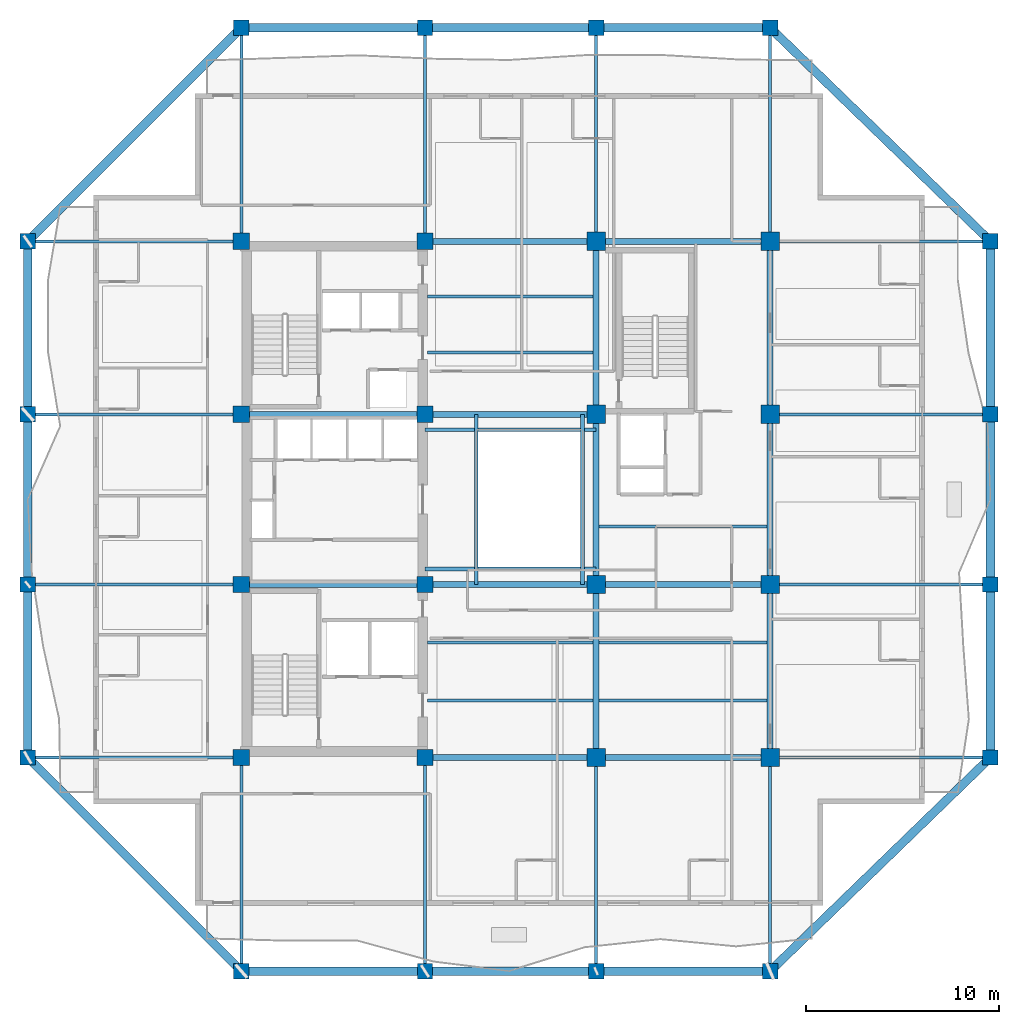
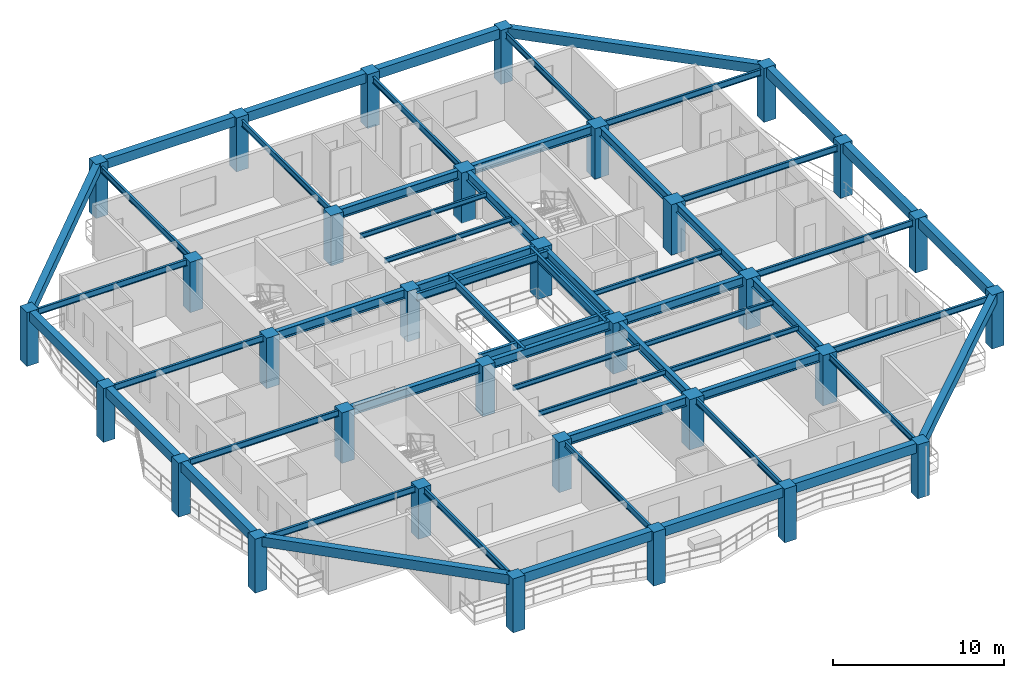
# One storey, part 1 of 13: 58 beams, 32 columns.
"""IFC4 building model written with IfcOpenShell, lengths in metres."""

from ifc_helpers import new_model, si_unit, direction, frame, origin, origin_2d, place, context, subcontext, project, spatial, rectangle, i_section, extrude, material, material_profile, profile_set, type_object, element, save


model = new_model("IFC4")

# Units and contexts
model_context = context("Model", 3, precision=1e-05, world=origin(), true_north=direction((0.0, 1.0)))
body_context = subcontext(model_context, "Body", "Model", "MODEL_VIEW")
ifc_project = project(units=[si_unit("LENGTHUNIT", "METRE"), si_unit("AREAUNIT", "SQUARE_METRE"), si_unit("VOLUMEUNIT", "CUBIC_METRE"), si_unit("PLANEANGLEUNIT", "RADIAN"), si_unit("MASSUNIT", "GRAM", prefix="KILO")], contexts=[model_context])

# Site, building, storey
site_placement = place(None, origin())
site = spatial("IfcSite", under=ifc_project, at=site_placement, CompositionType="ELEMENT")
building_placement = place(site_placement, origin())
building = spatial("IfcBuilding", under=site, at=building_placement, Name="Kundavana Baori Tower", CompositionType="ELEMENT")
storey_placement = place(building_placement, frame((0.0, 0.0, 161.75)))
storey = spatial("IfcBuildingStorey", under=building, at=storey_placement, Name="L39", CompositionType="ELEMENT", Elevation=161.75)

# Columns
ifc_material_1 = material(Name="Concrete C50/60", Category="concrete")
ifc_material_profile_1 = material_profile(ifc_material_1, rectangle(XDim=0.800048828125, YDim=0.800048828125, at=origin_2d()), Name="RC PF 800x800")
ifc_profile_set_1 = profile_set([ifc_material_profile_1], Name="Concrete C50/60")
column_type_1 = type_object("IfcColumnType", Name="COL-PF-800", PredefinedType="COLUMN", material=ifc_profile_set_1)
for number, where, z_axis, x_axis, name in (
    (1, (15.449951171875, 4.199951171875, 0.0), (0.0, 0.0, 1.0), (1.0, 0.0, 0.0), "L39 Stone-Clad Perimeter Frame Column PF-S1"),
    (2, (15.449951171875, 53.0, 0.0), (0.0, 0.0, 1.0), (1.0, 0.0, 0.0), "L39 Stone-Clad Perimeter Frame Column PF-N1"),
    (3, (24.949951171875, 4.199951171875, 0.0), (0.0, 0.0, 1.0), (1.0, 0.0, 0.0), "L39 Stone-Clad Perimeter Frame Column PF-S2"),
    (4, (24.949951171875, 53.0, 0.0), (0.0, 0.0, 1.0), (1.0, 0.0, 0.0), "L39 Stone-Clad Perimeter Frame Column PF-N2"),
    (5, (33.800048828125, 4.199951171875, 0.0), (0.0, 0.0, 1.0), (1.0, 0.0, 0.0), "L39 Stone-Clad Perimeter Frame Column PF-S3"),
    (6, (33.800048828125, 53.0, 0.0), (0.0, 0.0, 1.0), (1.0, 0.0, 0.0), "L39 Stone-Clad Perimeter Frame Column PF-N3"),
    (7, (42.800048828125, 4.199951171875, 0.0), (0.0, 0.0, 1.0), (1.0, 0.0, 0.0), "L39 Stone-Clad Perimeter Frame Column PF-S4"),
    (8, (42.800048828125, 53.0, 0.0), (0.0, 0.0, 1.0), (1.0, 0.0, 0.0), "L39 Stone-Clad Perimeter Frame Column PF-N4"),
    (9, (4.39990234375, 15.25, 0.0), (0.0, 0.0, 1.0), (1.0, 0.0, 0.0), "L39 Stone-Clad Perimeter Frame Column PF-W1"),
    (10, (54.199951171875, 15.25, 0.0), (0.0, 0.0, 1.0), (1.0, 0.0, 0.0), "L39 Stone-Clad Perimeter Frame Column PF-E1"),
    (11, (4.39990234375, 24.199951171875, 0.0), (0.0, 0.0, 1.0), (1.0, 0.0, 0.0), "L39 Stone-Clad Perimeter Frame Column PF-W2"),
    (12, (54.199951171875, 24.199951171875, 0.0), (0.0, 0.0, 1.0), (1.0, 0.0, 0.0), "L39 Stone-Clad Perimeter Frame Column PF-E2"),
    (13, (4.39990234375, 33.0, 0.0), (0.0, 0.0, 1.0), (1.0, 0.0, 0.0), "L39 Stone-Clad Perimeter Frame Column PF-W3"),
    (14, (54.199951171875, 33.0, 0.0), (0.0, 0.0, 1.0), (1.0, 0.0, 0.0), "L39 Stone-Clad Perimeter Frame Column PF-E3"),
    (15, (4.39990234375, 41.949951171875, 0.0), (0.0, 0.0, 1.0), (1.0, 0.0, 0.0), "L39 Stone-Clad Perimeter Frame Column PF-W4"),
    (16, (54.199951171875, 41.949951171875, 0.0), (0.0, 0.0, 1.0), (1.0, 0.0, 0.0), "L39 Stone-Clad Perimeter Frame Column PF-E4"),
):
    element("IfcColumn", number, at=place(storey_placement, frame(where, z_axis=z_axis, x_axis=x_axis)), inside=storey, type_object=column_type_1, Name=name, PredefinedType="COLUMN", context=body_context, shape_type="SweptSolid", body=[
        extrude(rectangle(XDim=0.800048828125, YDim=0.800048828125, at=origin_2d()), origin(), (0.0, 0.0, 1.0), 3.85009765625),
    ])
ifc_material_2 = material(Name="Concrete C50/60", Category="concrete")
ifc_material_profile_2 = material_profile(ifc_material_2, rectangle(XDim=0.85009765625, YDim=0.85009765625, at=origin_2d()), Name="RC 850x850")
ifc_profile_set_2 = profile_set([ifc_material_profile_2], Name="Concrete C50/60")
column_type_2 = type_object("IfcColumnType", Name="COL-RC-850", PredefinedType="COLUMN", material=ifc_profile_set_2)
for number, where, z_axis, x_axis, name in (
    (17, (15.449951171875, 15.25, 0.0), (0.0, 0.0, 1.0), (1.0, 0.0, 0.0), "L39 Interior Column IC-3C"),
    (18, (15.449951171875, 24.199951171875, 0.0), (0.0, 0.0, 1.0), (1.0, 0.0, 0.0), "L39 Interior Column IC-3D"),
    (19, (15.449951171875, 33.0, 0.0), (0.0, 0.0, 1.0), (1.0, 0.0, 0.0), "L39 Interior Column IC-3E"),
    (20, (15.449951171875, 41.949951171875, 0.0), (0.0, 0.0, 1.0), (1.0, 0.0, 0.0), "L39 Interior Column IC-3F"),
    (21, (24.949951171875, 15.25, 0.0), (0.0, 0.0, 1.0), (1.0, 0.0, 0.0), "L39 Interior Column IC-4C"),
    (22, (24.949951171875, 24.199951171875, 0.0), (0.0, 0.0, 1.0), (1.0, 0.0, 0.0), "L39 Interior Column IC-4D"),
    (23, (24.949951171875, 33.0, 0.0), (0.0, 0.0, 1.0), (1.0, 0.0, 0.0), "L39 Interior Column IC-4E"),
    (24, (24.949951171875, 41.949951171875, 0.0), (0.0, 0.0, 1.0), (1.0, 0.0, 0.0), "L39 Interior Column IC-4F"),
):
    element("IfcColumn", number, at=place(storey_placement, frame(where, z_axis=z_axis, x_axis=x_axis)), inside=storey, type_object=column_type_2, Name=name, PredefinedType="COLUMN", context=body_context, shape_type="SweptSolid", body=[
        extrude(rectangle(XDim=0.85009765625, YDim=0.85009765625, at=origin_2d()), origin(), (0.0, 0.0, 1.0), 3.60009765625),
    ])
ifc_material_3 = material(Name="Concrete C50/60", Category="concrete")
ifc_material_profile_3 = material_profile(ifc_material_3, rectangle(XDim=0.949951171875, YDim=0.949951171875, at=origin_2d()), Name="RC 950x950")
ifc_profile_set_3 = profile_set([ifc_material_profile_3], Name="Concrete C50/60")
column_type_3 = type_object("IfcColumnType", Name="COL-RC-950", PredefinedType="COLUMN", material=ifc_profile_set_3)
for number, where, z_axis, x_axis, name in (
    (25, (33.800048828125, 15.25, 0.0), (0.0, 0.0, 1.0), (1.0, 0.0, 0.0), "L39 Interior Column IC-5C"),
    (26, (33.800048828125, 24.199951171875, 0.0), (0.0, 0.0, 1.0), (1.0, 0.0, 0.0), "L39 Interior Column IC-5D"),
    (27, (33.800048828125, 33.0, 0.0), (0.0, 0.0, 1.0), (1.0, 0.0, 0.0), "L39 Interior Column IC-5E"),
    (28, (33.800048828125, 41.949951171875, 0.0), (0.0, 0.0, 1.0), (1.0, 0.0, 0.0), "L39 Interior Column IC-5F"),
    (29, (42.800048828125, 15.25, 0.0), (0.0, 0.0, 1.0), (1.0, 0.0, 0.0), "L39 Interior Column IC-6C"),
    (30, (42.800048828125, 24.199951171875, 0.0), (0.0, 0.0, 1.0), (1.0, 0.0, 0.0), "L39 Interior Column IC-6D"),
    (31, (42.800048828125, 33.0, 0.0), (0.0, 0.0, 1.0), (1.0, 0.0, 0.0), "L39 Interior Column IC-6E"),
    (32, (42.800048828125, 41.949951171875, 0.0), (0.0, 0.0, 1.0), (1.0, 0.0, 0.0), "L39 Interior Column IC-6F"),
):
    element("IfcColumn", number, at=place(storey_placement, frame(where, z_axis=z_axis, x_axis=x_axis)), inside=storey, type_object=column_type_3, Name=name, PredefinedType="COLUMN", context=body_context, shape_type="SweptSolid", body=[
        extrude(rectangle(XDim=0.949951171875, YDim=0.949951171875, at=origin_2d()), origin(), (0.0, 0.0, 1.0), 3.60009765625),
    ])

# Beams
ifc_material_4 = material(Name="Structural Steel S355JR", Category="steel")
ifc_material_profile_4 = material_profile(ifc_material_4, i_section(OverallWidth=0.139892578125, OverallDepth=0.35009765625, WebThickness=0.008056640625, FlangeThickness=0.01416015625, FilletRadius=0.013916015625, at=origin_2d()), Name="ISMB 350")
ifc_profile_set_4 = profile_set([ifc_material_profile_4], Name="Structural Steel S355JR")
beam_type_1 = type_object("IfcBeamType", Name="BM-JST-350", PredefinedType="JOIST", material=ifc_profile_set_4)
for number, where, z_axis, x_axis, name in (
    (33, (25.080078125, 18.199951171875, 3.425048828125), (1.0, 0.0, 0.0), (0.0, 1.0, 0.0), "L39 Central Bay Composite Floor Joist C1"),
    (34, (25.080078125, 21.199951171875, 3.425048828125), (1.0, 0.0, 0.0), (0.0, 1.0, 0.0), "L39 Central Bay Composite Floor Joist C2"),
    (35, (25.080078125, 36.199951171875, 3.425048828125), (1.0, 0.0, 0.0), (0.0, 1.0, 0.0), "L39 Central Bay Composite Floor Joist C3"),
    (36, (25.080078125, 39.10009765625, 3.425048828125), (1.0, 0.0, 0.0), (0.0, 1.0, 0.0), "L39 Central Bay Composite Floor Joist C4"),
):
    element("IfcBeam", number, at=place(storey_placement, frame(where, z_axis=z_axis, x_axis=x_axis)), inside=storey, type_object=beam_type_1, Name=name, PredefinedType="JOIST", context=body_context, shape_type="SweptSolid", body=[
        extrude(i_section(OverallWidth=0.139892578125, OverallDepth=0.35009765625, WebThickness=0.008056640625, FlangeThickness=0.01416015625, FilletRadius=0.013916015625, at=origin_2d()), origin(), (0.0, 0.0, 1.0), 8.56982421875),
    ])
for number, where, z_axis, x_axis, name in (
    (37, (33.949951171875, 18.199951171875, 3.425048828125), (1.0, 0.0, 0.0), (0.0, 1.0, 0.0), "L39 East Bay Composite Floor Joist E1"),
    (38, (33.949951171875, 21.199951171875, 3.425048828125), (1.0, 0.0, 0.0), (0.0, 1.0, 0.0), "L39 East Bay Composite Floor Joist E2"),
    (39, (33.949951171875, 27.199951171875, 3.425048828125), (1.0, 0.0, 0.0), (0.0, 1.0, 0.0), "L39 East Bay Composite Floor Joist E3"),
):
    element("IfcBeam", number, at=place(storey_placement, frame(where, z_axis=z_axis, x_axis=x_axis)), inside=storey, type_object=beam_type_1, Name=name, PredefinedType="JOIST", context=body_context, shape_type="SweptSolid", body=[
        extrude(i_section(OverallWidth=0.139892578125, OverallDepth=0.35009765625, WebThickness=0.008056640625, FlangeThickness=0.01416015625, FilletRadius=0.013916015625, at=origin_2d()), origin(), (0.0, 0.0, 1.0), 8.699951171875),
    ])
ifc_material_5 = material(Name="Concrete C50/60", Category="concrete")
ifc_material_profile_5 = material_profile(ifc_material_5, rectangle(XDim=0.449951171875, YDim=0.679931640625, at=origin_2d()), Name="RC BM 450x680")
ifc_profile_set_5 = profile_set([ifc_material_profile_5], Name="Concrete C50/60")
beam_type_2 = type_object("IfcBeamType", Name="BM-PF-680", PredefinedType="SPANDREL", material=ifc_profile_set_5)
beam_1_placement = place(storey_placement, frame((15.449951171875, 4.199951171875, 3.510009765625), z_axis=(1.0, 0.0, 0.0), x_axis=(0.0, 1.0, 0.0)))
element("IfcBeam", 40, at=beam_1_placement, inside=storey, type_object=beam_type_2, Name="L39 Perimeter Frame Ring Beam S1", PredefinedType="SPANDREL", context=body_context, shape_type="SweptSolid", body=[
    extrude(rectangle(XDim=0.449951171875, YDim=0.679931640625, at=origin_2d()), origin(), (0.0, 0.0, 1.0), 9.5),
])
beam_2_placement = place(storey_placement, frame((24.949951171875, 4.199951171875, 3.510009765625), z_axis=(1.0, 0.0, 0.0), x_axis=(0.0, 1.0, 0.0)))
element("IfcBeam", 41, at=beam_2_placement, inside=storey, type_object=beam_type_2, Name="L39 Perimeter Frame Ring Beam S2", PredefinedType="SPANDREL", context=body_context, shape_type="SweptSolid", body=[
    extrude(rectangle(XDim=0.449951171875, YDim=0.679931640625, at=origin_2d()), origin(), (0.0, 0.0, 1.0), 8.85009765625),
])
beam_3_placement = place(storey_placement, frame((33.800048828125, 4.199951171875, 3.510009765625), z_axis=(1.0, 0.0, 0.0), x_axis=(0.0, 1.0, 0.0)))
element("IfcBeam", 42, at=beam_3_placement, inside=storey, type_object=beam_type_2, Name="L39 Perimeter Frame Ring Beam S3", PredefinedType="SPANDREL", context=body_context, shape_type="SweptSolid", body=[
    extrude(rectangle(XDim=0.449951171875, YDim=0.679931640625, at=origin_2d()), origin(), (0.0, 0.0, 1.0), 9.0),
])
beam_4_placement = place(storey_placement, frame((15.449951171875, 53.0, 3.510009765625), z_axis=(1.0, 0.0, 0.0), x_axis=(0.0, 1.0, 0.0)))
element("IfcBeam", 43, at=beam_4_placement, inside=storey, type_object=beam_type_2, Name="L39 Perimeter Frame Ring Beam N1", PredefinedType="SPANDREL", context=body_context, shape_type="SweptSolid", body=[
    extrude(rectangle(XDim=0.449951171875, YDim=0.679931640625, at=origin_2d()), origin(), (0.0, 0.0, 1.0), 9.5),
])
beam_5_placement = place(storey_placement, frame((24.949951171875, 53.0, 3.510009765625), z_axis=(1.0, 0.0, 0.0), x_axis=(0.0, 1.0, 0.0)))
element("IfcBeam", 44, at=beam_5_placement, inside=storey, type_object=beam_type_2, Name="L39 Perimeter Frame Ring Beam N2", PredefinedType="SPANDREL", context=body_context, shape_type="SweptSolid", body=[
    extrude(rectangle(XDim=0.449951171875, YDim=0.679931640625, at=origin_2d()), origin(), (0.0, 0.0, 1.0), 8.85009765625),
])
beam_6_placement = place(storey_placement, frame((33.800048828125, 53.0, 3.510009765625), z_axis=(1.0, 0.0, 0.0), x_axis=(0.0, 1.0, 0.0)))
element("IfcBeam", 45, at=beam_6_placement, inside=storey, type_object=beam_type_2, Name="L39 Perimeter Frame Ring Beam N3", PredefinedType="SPANDREL", context=body_context, shape_type="SweptSolid", body=[
    extrude(rectangle(XDim=0.449951171875, YDim=0.679931640625, at=origin_2d()), origin(), (0.0, 0.0, 1.0), 9.0),
])
beam_7_placement = place(storey_placement, frame((4.39990234375, 15.25, 3.510009765625), z_axis=(0.0, 1.0, 0.0), x_axis=(-1.0, 0.0, 0.0)))
element("IfcBeam", 46, at=beam_7_placement, inside=storey, type_object=beam_type_2, Name="L39 Perimeter Frame Ring Beam W1", PredefinedType="SPANDREL", context=body_context, shape_type="SweptSolid", body=[
    extrude(rectangle(XDim=0.449951171875, YDim=0.679931640625, at=origin_2d()), origin(), (0.0, 0.0, 1.0), 8.949951171875),
])
beam_8_placement = place(storey_placement, frame((4.39990234375, 24.199951171875, 3.510009765625), z_axis=(0.0, 1.0, 0.0), x_axis=(-1.0, 0.0, 0.0)))
element("IfcBeam", 47, at=beam_8_placement, inside=storey, type_object=beam_type_2, Name="L39 Perimeter Frame Ring Beam W2", PredefinedType="SPANDREL", context=body_context, shape_type="SweptSolid", body=[
    extrude(rectangle(XDim=0.449951171875, YDim=0.679931640625, at=origin_2d()), origin(), (0.0, 0.0, 1.0), 8.800048828125),
])
for number, where, z_axis, x_axis, name in (
    (48, (4.39990234375, 33.0, 3.510009765625), (0.0, 1.0, 0.0), (-1.0, 0.0, 0.0), "L39 Perimeter Frame Ring Beam W3"),
    (49, (54.199951171875, 15.25, 3.510009765625), (0.0, 1.0, 0.0), (-1.0, 0.0, 0.0), "L39 Perimeter Frame Ring Beam E1"),
):
    element("IfcBeam", number, at=place(storey_placement, frame(where, z_axis=z_axis, x_axis=x_axis)), inside=storey, type_object=beam_type_2, Name=name, PredefinedType="SPANDREL", context=body_context, shape_type="SweptSolid", body=[
        extrude(rectangle(XDim=0.449951171875, YDim=0.679931640625, at=origin_2d()), origin(), (0.0, 0.0, 1.0), 8.949951171875),
    ])
beam_9_placement = place(storey_placement, frame((54.199951171875, 24.199951171875, 3.510009765625), z_axis=(0.0, 1.0, 0.0), x_axis=(-1.0, 0.0, 0.0)))
element("IfcBeam", 50, at=beam_9_placement, inside=storey, type_object=beam_type_2, Name="L39 Perimeter Frame Ring Beam E2", PredefinedType="SPANDREL", context=body_context, shape_type="SweptSolid", body=[
    extrude(rectangle(XDim=0.449951171875, YDim=0.679931640625, at=origin_2d()), origin(), (0.0, 0.0, 1.0), 8.800048828125),
])
beam_10_placement = place(storey_placement, frame((54.199951171875, 33.0, 3.510009765625), z_axis=(0.0, 1.0, 0.0), x_axis=(-1.0, 0.0, 0.0)))
element("IfcBeam", 51, at=beam_10_placement, inside=storey, type_object=beam_type_2, Name="L39 Perimeter Frame Ring Beam E3", PredefinedType="SPANDREL", context=body_context, shape_type="SweptSolid", body=[
    extrude(rectangle(XDim=0.449951171875, YDim=0.679931640625, at=origin_2d()), origin(), (0.0, 0.0, 1.0), 8.949951171875),
])
beam_11_placement = place(storey_placement, frame((15.449951171875, 4.199951171875, 3.510009765625), z_axis=(-0.707106781187, 0.707106781187, 0.0), x_axis=(-0.707106781187, -0.707106781187, 0.0)))
element("IfcBeam", 52, at=beam_11_placement, inside=storey, type_object=beam_type_2, Name="L39 Notched Corner Perimeter Beam SW", PredefinedType="SPANDREL", context=body_context, shape_type="SweptSolid", body=[
    extrude(rectangle(XDim=0.449951171875, YDim=0.679931640625, at=origin_2d()), origin(), (0.0, 0.0, 1.0), 15.627197265625),
])
beam_12_placement = place(storey_placement, frame((42.800048828125, 4.199951171875, 3.510009765625), z_axis=(0.718038944492, 0.696002926857, 0.0), x_axis=(-0.696002926857, 0.718038944492, 0.0)))
element("IfcBeam", 53, at=beam_12_placement, inside=storey, type_object=beam_type_2, Name="L39 Notched Corner Perimeter Beam SE", PredefinedType="SPANDREL", context=body_context, shape_type="SweptSolid", body=[
    extrude(rectangle(XDim=0.449951171875, YDim=0.679931640625, at=origin_2d()), origin(), (0.0, 0.0, 1.0), 15.87646484375),
])
beam_13_placement = place(storey_placement, frame((15.449951171875, 53.0, 3.510009765625), z_axis=(-0.707106781187, -0.707106781187, 0.0), x_axis=(0.707106781187, -0.707106781187, 0.0)))
element("IfcBeam", 54, at=beam_13_placement, inside=storey, type_object=beam_type_2, Name="L39 Notched Corner Perimeter Beam NW", PredefinedType="SPANDREL", context=body_context, shape_type="SweptSolid", body=[
    extrude(rectangle(XDim=0.449951171875, YDim=0.679931640625, at=origin_2d()), origin(), (0.0, 0.0, 1.0), 15.627197265625),
])
beam_14_placement = place(storey_placement, frame((42.800048828125, 53.0, 3.510009765625), z_axis=(0.718038944492, -0.696002926857, 0.0), x_axis=(0.696002926857, 0.718038944492, 0.0)))
element("IfcBeam", 55, at=beam_14_placement, inside=storey, type_object=beam_type_2, Name="L39 Notched Corner Perimeter Beam NE", PredefinedType="SPANDREL", context=body_context, shape_type="SweptSolid", body=[
    extrude(rectangle(XDim=0.449951171875, YDim=0.679931640625, at=origin_2d()), origin(), (0.0, 0.0, 1.0), 15.87646484375),
])
ifc_material_6 = material(Name="Structural Steel S355JR", Category="steel")
ifc_material_profile_6 = material_profile(ifc_material_6, i_section(OverallWidth=0.18994140625, OverallDepth=0.550048828125, WebThickness=0.01123046875, FlangeThickness=0.019287109375, FilletRadius=0.01806640625, at=origin_2d()), Name="ISMB 550")
ifc_profile_set_6 = profile_set([ifc_material_profile_6], Name="Structural Steel S355JR")
beam_type_3 = type_object("IfcBeamType", Name="BM-ST-550", PredefinedType="BEAM", material=ifc_profile_set_6)
for number, where, z_axis, x_axis, name in (
    (56, (27.60009765625, 24.199951171875, 3.324951171875), (0.0, 1.0, 0.0), (-1.0, 0.0, 0.0), "L39 Atrium West Edge Beam"),
    (57, (33.10009765625, 24.199951171875, 3.324951171875), (0.0, 1.0, 0.0), (-1.0, 0.0, 0.0), "L39 Atrium East Edge Beam"),
):
    element("IfcBeam", number, at=place(storey_placement, frame(where, z_axis=z_axis, x_axis=x_axis)), inside=storey, type_object=beam_type_3, Name=name, PredefinedType="BEAM", context=body_context, shape_type="SweptSolid", body=[
        extrude(i_section(OverallWidth=0.18994140625, OverallDepth=0.550048828125, WebThickness=0.01123046875, FlangeThickness=0.019287109375, FilletRadius=0.01806640625, at=origin_2d()), origin(), (0.0, 0.0, 1.0), 8.800048828125),
    ])
for number, where, z_axis, x_axis, name in (
    (58, (24.949951171875, 25.0, 3.324951171875), (1.0, 0.0, 0.0), (0.0, 1.0, 0.0), "L39 Atrium South Edge Beam"),
    (59, (24.949951171875, 32.199951171875, 3.324951171875), (1.0, 0.0, 0.0), (0.0, 1.0, 0.0), "L39 Atrium North Edge Beam"),
):
    element("IfcBeam", number, at=place(storey_placement, frame(where, z_axis=z_axis, x_axis=x_axis)), inside=storey, type_object=beam_type_3, Name=name, PredefinedType="BEAM", context=body_context, shape_type="SweptSolid", body=[
        extrude(i_section(OverallWidth=0.18994140625, OverallDepth=0.550048828125, WebThickness=0.01123046875, FlangeThickness=0.019287109375, FilletRadius=0.01806640625, at=origin_2d()), origin(), (0.0, 0.0, 1.0), 8.85009765625),
    ])
ifc_material_7 = material(Name="Structural Steel S355JR", Category="steel")
ifc_material_profile_7 = material_profile(ifc_material_7, i_section(OverallWidth=0.300048828125, OverallDepth=0.64990234375, WebThickness=0.013427734375, FlangeThickness=0.02197265625, FilletRadius=0.02392578125, at=origin_2d()), Name="NPB 650x300x155")
ifc_profile_set_7 = profile_set([ifc_material_profile_7], Name="Structural Steel S355JR")
beam_type_4 = type_object("IfcBeamType", Name="BM-ST-650", PredefinedType="BEAM", material=ifc_profile_set_7)
beam_15_placement = place(storey_placement, frame((24.949951171875, 15.25, 3.27490234375), z_axis=(1.0, 0.0, 0.0), x_axis=(0.0, 1.0, 0.0)))
element("IfcBeam", 60, at=beam_15_placement, inside=storey, type_object=beam_type_4, Name="L39 Primary Grid Girder GX-1-2", PredefinedType="BEAM", context=body_context, shape_type="SweptSolid", body=[
    extrude(i_section(OverallWidth=0.300048828125, OverallDepth=0.64990234375, WebThickness=0.013427734375, FlangeThickness=0.02197265625, FilletRadius=0.02392578125, at=origin_2d()), origin(), (0.0, 0.0, 1.0), 8.85009765625),
])
beam_16_placement = place(storey_placement, frame((33.800048828125, 15.25, 3.27490234375), z_axis=(1.0, 0.0, 0.0), x_axis=(0.0, 1.0, 0.0)))
element("IfcBeam", 61, at=beam_16_placement, inside=storey, type_object=beam_type_4, Name="L39 Primary Grid Girder GX-1-3", PredefinedType="BEAM", context=body_context, shape_type="SweptSolid", body=[
    extrude(i_section(OverallWidth=0.300048828125, OverallDepth=0.64990234375, WebThickness=0.013427734375, FlangeThickness=0.02197265625, FilletRadius=0.02392578125, at=origin_2d()), origin(), (0.0, 0.0, 1.0), 9.0),
])
beam_17_placement = place(storey_placement, frame((15.449951171875, 24.199951171875, 3.27490234375), z_axis=(1.0, 0.0, 0.0), x_axis=(0.0, 1.0, 0.0)))
element("IfcBeam", 62, at=beam_17_placement, inside=storey, type_object=beam_type_4, Name="L39 Primary Grid Girder GX-2-1", PredefinedType="BEAM", context=body_context, shape_type="SweptSolid", body=[
    extrude(i_section(OverallWidth=0.300048828125, OverallDepth=0.64990234375, WebThickness=0.013427734375, FlangeThickness=0.02197265625, FilletRadius=0.02392578125, at=origin_2d()), origin(), (0.0, 0.0, 1.0), 9.5),
])
beam_18_placement = place(storey_placement, frame((24.949951171875, 24.199951171875, 3.27490234375), z_axis=(1.0, 0.0, 0.0), x_axis=(0.0, 1.0, 0.0)))
element("IfcBeam", 63, at=beam_18_placement, inside=storey, type_object=beam_type_4, Name="L39 Primary Grid Girder GX-2-2", PredefinedType="BEAM", context=body_context, shape_type="SweptSolid", body=[
    extrude(i_section(OverallWidth=0.300048828125, OverallDepth=0.64990234375, WebThickness=0.013427734375, FlangeThickness=0.02197265625, FilletRadius=0.02392578125, at=origin_2d()), origin(), (0.0, 0.0, 1.0), 8.85009765625),
])
beam_19_placement = place(storey_placement, frame((33.800048828125, 24.199951171875, 3.27490234375), z_axis=(1.0, 0.0, 0.0), x_axis=(0.0, 1.0, 0.0)))
element("IfcBeam", 64, at=beam_19_placement, inside=storey, type_object=beam_type_4, Name="L39 Primary Grid Girder GX-2-3", PredefinedType="BEAM", context=body_context, shape_type="SweptSolid", body=[
    extrude(i_section(OverallWidth=0.300048828125, OverallDepth=0.64990234375, WebThickness=0.013427734375, FlangeThickness=0.02197265625, FilletRadius=0.02392578125, at=origin_2d()), origin(), (0.0, 0.0, 1.0), 9.0),
])
beam_20_placement = place(storey_placement, frame((15.449951171875, 33.0, 3.27490234375), z_axis=(1.0, 0.0, 0.0), x_axis=(0.0, 1.0, 0.0)))
element("IfcBeam", 65, at=beam_20_placement, inside=storey, type_object=beam_type_4, Name="L39 Primary Grid Girder GX-3-1", PredefinedType="BEAM", context=body_context, shape_type="SweptSolid", body=[
    extrude(i_section(OverallWidth=0.300048828125, OverallDepth=0.64990234375, WebThickness=0.013427734375, FlangeThickness=0.02197265625, FilletRadius=0.02392578125, at=origin_2d()), origin(), (0.0, 0.0, 1.0), 9.5),
])
for number, where, z_axis, x_axis, name in (
    (66, (24.949951171875, 33.0, 3.27490234375), (1.0, 0.0, 0.0), (0.0, 1.0, 0.0), "L39 Primary Grid Girder GX-3-2"),
    (67, (24.949951171875, 41.949951171875, 3.27490234375), (1.0, 0.0, 0.0), (0.0, 1.0, 0.0), "L39 Primary Grid Girder GX-4-2"),
):
    element("IfcBeam", number, at=place(storey_placement, frame(where, z_axis=z_axis, x_axis=x_axis)), inside=storey, type_object=beam_type_4, Name=name, PredefinedType="BEAM", context=body_context, shape_type="SweptSolid", body=[
        extrude(i_section(OverallWidth=0.300048828125, OverallDepth=0.64990234375, WebThickness=0.013427734375, FlangeThickness=0.02197265625, FilletRadius=0.02392578125, at=origin_2d()), origin(), (0.0, 0.0, 1.0), 8.85009765625),
    ])
beam_21_placement = place(storey_placement, frame((33.800048828125, 41.949951171875, 3.27490234375), z_axis=(1.0, 0.0, 0.0), x_axis=(0.0, 1.0, 0.0)))
element("IfcBeam", 68, at=beam_21_placement, inside=storey, type_object=beam_type_4, Name="L39 Primary Grid Girder GX-4-3", PredefinedType="BEAM", context=body_context, shape_type="SweptSolid", body=[
    extrude(i_section(OverallWidth=0.300048828125, OverallDepth=0.64990234375, WebThickness=0.013427734375, FlangeThickness=0.02197265625, FilletRadius=0.02392578125, at=origin_2d()), origin(), (0.0, 0.0, 1.0), 9.0),
])
beam_22_placement = place(storey_placement, frame((33.800048828125, 15.25, 3.27490234375), z_axis=(0.0, 1.0, 0.0), x_axis=(-1.0, 0.0, 0.0)))
element("IfcBeam", 69, at=beam_22_placement, inside=storey, type_object=beam_type_4, Name="L39 Primary Grid Girder GY-3-1", PredefinedType="BEAM", context=body_context, shape_type="SweptSolid", body=[
    extrude(i_section(OverallWidth=0.300048828125, OverallDepth=0.64990234375, WebThickness=0.013427734375, FlangeThickness=0.02197265625, FilletRadius=0.02392578125, at=origin_2d()), origin(), (0.0, 0.0, 1.0), 8.949951171875),
])
beam_23_placement = place(storey_placement, frame((33.800048828125, 24.199951171875, 3.27490234375), z_axis=(0.0, 1.0, 0.0), x_axis=(-1.0, 0.0, 0.0)))
element("IfcBeam", 70, at=beam_23_placement, inside=storey, type_object=beam_type_4, Name="L39 Primary Grid Girder GY-3-2", PredefinedType="BEAM", context=body_context, shape_type="SweptSolid", body=[
    extrude(i_section(OverallWidth=0.300048828125, OverallDepth=0.64990234375, WebThickness=0.013427734375, FlangeThickness=0.02197265625, FilletRadius=0.02392578125, at=origin_2d()), origin(), (0.0, 0.0, 1.0), 8.800048828125),
])
for number, where, z_axis, x_axis, name in (
    (71, (33.800048828125, 33.0, 3.27490234375), (0.0, 1.0, 0.0), (-1.0, 0.0, 0.0), "L39 Primary Grid Girder GY-3-3"),
    (72, (42.800048828125, 15.25, 3.27490234375), (0.0, 1.0, 0.0), (-1.0, 0.0, 0.0), "L39 Primary Grid Girder GY-4-1"),
):
    element("IfcBeam", number, at=place(storey_placement, frame(where, z_axis=z_axis, x_axis=x_axis)), inside=storey, type_object=beam_type_4, Name=name, PredefinedType="BEAM", context=body_context, shape_type="SweptSolid", body=[
        extrude(i_section(OverallWidth=0.300048828125, OverallDepth=0.64990234375, WebThickness=0.013427734375, FlangeThickness=0.02197265625, FilletRadius=0.02392578125, at=origin_2d()), origin(), (0.0, 0.0, 1.0), 8.949951171875),
    ])
beam_24_placement = place(storey_placement, frame((42.800048828125, 24.199951171875, 3.27490234375), z_axis=(0.0, 1.0, 0.0), x_axis=(-1.0, 0.0, 0.0)))
element("IfcBeam", 73, at=beam_24_placement, inside=storey, type_object=beam_type_4, Name="L39 Primary Grid Girder GY-4-2", PredefinedType="BEAM", context=body_context, shape_type="SweptSolid", body=[
    extrude(i_section(OverallWidth=0.300048828125, OverallDepth=0.64990234375, WebThickness=0.013427734375, FlangeThickness=0.02197265625, FilletRadius=0.02392578125, at=origin_2d()), origin(), (0.0, 0.0, 1.0), 8.800048828125),
])
beam_25_placement = place(storey_placement, frame((42.800048828125, 33.0, 3.27490234375), z_axis=(0.0, 1.0, 0.0), x_axis=(-1.0, 0.0, 0.0)))
element("IfcBeam", 74, at=beam_25_placement, inside=storey, type_object=beam_type_4, Name="L39 Primary Grid Girder GY-4-3", PredefinedType="BEAM", context=body_context, shape_type="SweptSolid", body=[
    extrude(i_section(OverallWidth=0.300048828125, OverallDepth=0.64990234375, WebThickness=0.013427734375, FlangeThickness=0.02197265625, FilletRadius=0.02392578125, at=origin_2d()), origin(), (0.0, 0.0, 1.0), 8.949951171875),
])
ifc_material_8 = material(Name="Structural Steel S355JR", Category="steel")
ifc_material_profile_8 = material_profile(ifc_material_8, i_section(OverallWidth=0.14990234375, OverallDepth=0.449951171875, WebThickness=0.009521484375, FlangeThickness=0.017333984375, FilletRadius=0.014892578125, at=origin_2d()), Name="ISMB 450")
ifc_profile_set_8 = profile_set([ifc_material_profile_8], Name="Structural Steel S355JR")
beam_type_5 = type_object("IfcBeamType", Name="BM-TIE-450", PredefinedType="BEAM", material=ifc_profile_set_8)
for number, where, z_axis, x_axis, name in (
    (75, (15.449951171875, 15.25, 3.375), (0.0, -1.0, 0.0), (1.0, 0.0, 0.0), "L39 South Radial Loggia Tie Beam S1"),
    (76, (15.449951171875, 41.949951171875, 3.375), (0.0, 1.0, 0.0), (-1.0, 0.0, 0.0), "L39 North Radial Loggia Tie Beam N1"),
    (77, (24.949951171875, 15.25, 3.375), (0.0, -1.0, 0.0), (1.0, 0.0, 0.0), "L39 South Radial Loggia Tie Beam S2"),
    (78, (24.949951171875, 41.949951171875, 3.375), (0.0, 1.0, 0.0), (-1.0, 0.0, 0.0), "L39 North Radial Loggia Tie Beam N2"),
    (79, (33.800048828125, 15.25, 3.375), (0.0, -1.0, 0.0), (1.0, 0.0, 0.0), "L39 South Radial Loggia Tie Beam S3"),
    (80, (33.800048828125, 41.949951171875, 3.375), (0.0, 1.0, 0.0), (-1.0, 0.0, 0.0), "L39 North Radial Loggia Tie Beam N3"),
    (81, (42.800048828125, 15.25, 3.375), (0.0, -1.0, 0.0), (1.0, 0.0, 0.0), "L39 South Radial Loggia Tie Beam S4"),
    (82, (42.800048828125, 41.949951171875, 3.375), (0.0, 1.0, 0.0), (-1.0, 0.0, 0.0), "L39 North Radial Loggia Tie Beam N4"),
    (83, (15.449951171875, 15.25, 3.375), (-1.0, 0.0, 0.0), (0.0, -1.0, 0.0), "L39 West Radial Loggia Tie Beam W1"),
):
    element("IfcBeam", number, at=place(storey_placement, frame(where, z_axis=z_axis, x_axis=x_axis)), inside=storey, type_object=beam_type_5, Name=name, PredefinedType="BEAM", context=body_context, shape_type="SweptSolid", body=[
        extrude(i_section(OverallWidth=0.14990234375, OverallDepth=0.449951171875, WebThickness=0.009521484375, FlangeThickness=0.017333984375, FilletRadius=0.014892578125, at=origin_2d()), origin(), (0.0, 0.0, 1.0), 11.050048828125),
    ])
beam_26_placement = place(storey_placement, frame((42.800048828125, 15.25, 3.375), z_axis=(1.0, 0.0, 0.0), x_axis=(0.0, 1.0, 0.0)))
element("IfcBeam", 84, at=beam_26_placement, inside=storey, type_object=beam_type_5, Name="L39 East Radial Loggia Tie Beam E1", PredefinedType="BEAM", context=body_context, shape_type="SweptSolid", body=[
    extrude(i_section(OverallWidth=0.14990234375, OverallDepth=0.449951171875, WebThickness=0.009521484375, FlangeThickness=0.017333984375, FilletRadius=0.014892578125, at=origin_2d()), origin(), (0.0, 0.0, 1.0), 11.39990234375),
])
beam_27_placement = place(storey_placement, frame((15.449951171875, 24.199951171875, 3.375), z_axis=(-1.0, 0.0, 0.0), x_axis=(0.0, -1.0, 0.0)))
element("IfcBeam", 85, at=beam_27_placement, inside=storey, type_object=beam_type_5, Name="L39 West Radial Loggia Tie Beam W2", PredefinedType="BEAM", context=body_context, shape_type="SweptSolid", body=[
    extrude(i_section(OverallWidth=0.14990234375, OverallDepth=0.449951171875, WebThickness=0.009521484375, FlangeThickness=0.017333984375, FilletRadius=0.014892578125, at=origin_2d()), origin(), (0.0, 0.0, 1.0), 11.050048828125),
])
beam_28_placement = place(storey_placement, frame((42.800048828125, 24.199951171875, 3.375), z_axis=(1.0, 0.0, 0.0), x_axis=(0.0, 1.0, 0.0)))
element("IfcBeam", 86, at=beam_28_placement, inside=storey, type_object=beam_type_5, Name="L39 East Radial Loggia Tie Beam E2", PredefinedType="BEAM", context=body_context, shape_type="SweptSolid", body=[
    extrude(i_section(OverallWidth=0.14990234375, OverallDepth=0.449951171875, WebThickness=0.009521484375, FlangeThickness=0.017333984375, FilletRadius=0.014892578125, at=origin_2d()), origin(), (0.0, 0.0, 1.0), 11.39990234375),
])
beam_29_placement = place(storey_placement, frame((15.449951171875, 33.0, 3.375), z_axis=(-1.0, 0.0, 0.0), x_axis=(0.0, -1.0, 0.0)))
element("IfcBeam", 87, at=beam_29_placement, inside=storey, type_object=beam_type_5, Name="L39 West Radial Loggia Tie Beam W3", PredefinedType="BEAM", context=body_context, shape_type="SweptSolid", body=[
    extrude(i_section(OverallWidth=0.14990234375, OverallDepth=0.449951171875, WebThickness=0.009521484375, FlangeThickness=0.017333984375, FilletRadius=0.014892578125, at=origin_2d()), origin(), (0.0, 0.0, 1.0), 11.050048828125),
])
beam_30_placement = place(storey_placement, frame((42.800048828125, 33.0, 3.375), z_axis=(1.0, 0.0, 0.0), x_axis=(0.0, 1.0, 0.0)))
element("IfcBeam", 88, at=beam_30_placement, inside=storey, type_object=beam_type_5, Name="L39 East Radial Loggia Tie Beam E3", PredefinedType="BEAM", context=body_context, shape_type="SweptSolid", body=[
    extrude(i_section(OverallWidth=0.14990234375, OverallDepth=0.449951171875, WebThickness=0.009521484375, FlangeThickness=0.017333984375, FilletRadius=0.014892578125, at=origin_2d()), origin(), (0.0, 0.0, 1.0), 11.39990234375),
])
beam_31_placement = place(storey_placement, frame((15.449951171875, 41.949951171875, 3.375), z_axis=(-1.0, 0.0, 0.0), x_axis=(0.0, -1.0, 0.0)))
element("IfcBeam", 89, at=beam_31_placement, inside=storey, type_object=beam_type_5, Name="L39 West Radial Loggia Tie Beam W4", PredefinedType="BEAM", context=body_context, shape_type="SweptSolid", body=[
    extrude(i_section(OverallWidth=0.14990234375, OverallDepth=0.449951171875, WebThickness=0.009521484375, FlangeThickness=0.017333984375, FilletRadius=0.014892578125, at=origin_2d()), origin(), (0.0, 0.0, 1.0), 11.050048828125),
])
beam_32_placement = place(storey_placement, frame((42.800048828125, 41.949951171875, 3.375), z_axis=(1.0, 0.0, 0.0), x_axis=(0.0, 1.0, 0.0)))
element("IfcBeam", 90, at=beam_32_placement, inside=storey, type_object=beam_type_5, Name="L39 East Radial Loggia Tie Beam E4", PredefinedType="BEAM", context=body_context, shape_type="SweptSolid", body=[
    extrude(i_section(OverallWidth=0.14990234375, OverallDepth=0.449951171875, WebThickness=0.009521484375, FlangeThickness=0.017333984375, FilletRadius=0.014892578125, at=origin_2d()), origin(), (0.0, 0.0, 1.0), 11.39990234375),
])

save(model, "model.ifc")
